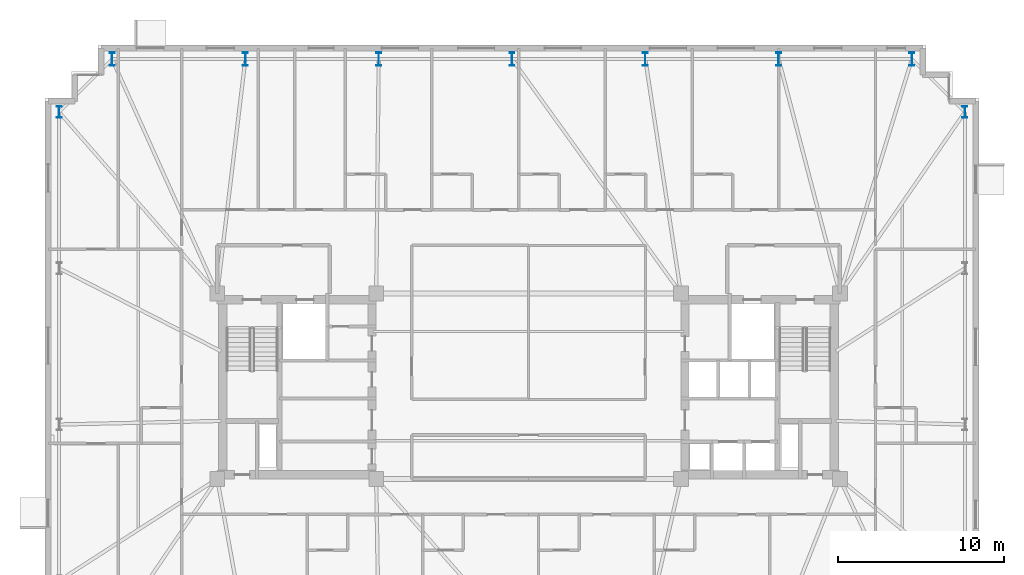
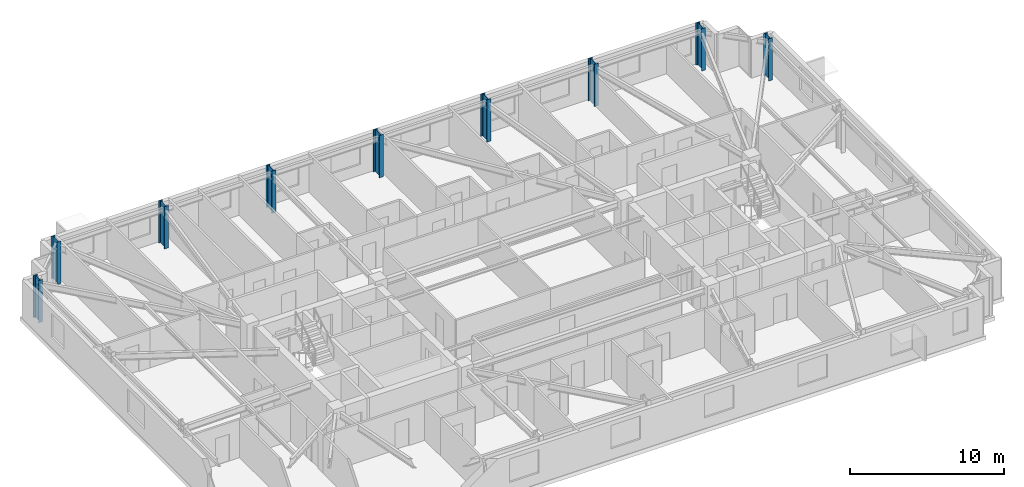
# One storey, part 2 of 17: 9 columns.
"""IFC4 building model written with IfcOpenShell, lengths in metres."""

import ifcopenshell
import ifcopenshell.guid

model = None  # the IFC model being written
_history = None  # IfcOwnerHistory: only IFC2X3 demands one
_inside = {}  # id of a spatial element -> (the spatial element, [elements in it])
_under = {}  # id of a project, library or spatial element -> (it, [spatial elements below it])
_declared = {}  # id of a project -> (the project, [libraries it declares])
_typed = {}  # id of a type object -> (the type object, [elements of that type])
_made_of = {}  # id of a material, layer set ... -> (it, [elements and type objects made of it])


def new_model(schema):
    """Start an empty IFC model of exactly this schema.

    Asked for "IFC4X3", IfcOpenShell would pick the latest addendum, in which some entities
    have other attributes; the version numbers below select the first issue.
    IFC2X3 requires an IfcOwnerHistory on every rooted entity: one is made here for all.
    """
    global model, _history
    if schema == "IFC4X3":
        model = ifcopenshell.file(schema_version=(4, 3, 0, 0))
    else:
        model = ifcopenshell.file(schema=schema)
    _inside.clear()
    _under.clear()
    _declared.clear()
    _typed.clear()
    _made_of.clear()
    _history = None
    if model.schema == "IFC2X3":
        org = make("IfcOrganization", Name="unknown")
        user = make(
            "IfcPersonAndOrganization",
            ThePerson=make("IfcPerson", FamilyName="unknown"),
            TheOrganization=org,
        )
        app = make(
            "IfcApplication",
            ApplicationDeveloper=org,
            Version="unknown",
            ApplicationFullName="unknown",
            ApplicationIdentifier="unknown",
        )
        _history = make(
            "IfcOwnerHistory",
            OwningUser=user,
            OwningApplication=app,
            ChangeAction="ADDED",
            CreationDate=0,
        )
    return model


def make(cls, **values):
    """One entity of the class cls with the attributes given. An attribute that is None is left unset."""
    return model.create_entity(
        cls, **{name: value for name, value in values.items() if value is not None}
    )


def rooted(cls, **values):
    """An entity with a GlobalId (a new one), such as an element, a storey or a relation."""
    return make(cls, GlobalId=ifcopenshell.guid.new(), OwnerHistory=_history, **values)


def si_unit(unit_type, name, prefix=None):
    """IfcSIUnit, for example si_unit("LENGTHUNIT", "METRE", prefix="MILLI")."""
    return make("IfcSIUnit", UnitType=unit_type, Prefix=prefix, Name=name)


def assignment(units):
    """IfcUnitAssignment: the units of a project."""
    return None if units is None else make("IfcUnitAssignment", Units=units)


def point(xyz):
    """IfcCartesianPoint."""
    return None if xyz is None else make("IfcCartesianPoint", Coordinates=xyz)


def direction(xyz):
    """IfcDirection."""
    return None if xyz is None else make("IfcDirection", DirectionRatios=xyz)


def frame(location, z_axis=None, x_axis=None):
    """IfcAxis2Placement3D, a coordinate frame: its origin and axes. An axis left out is left unset."""
    return make(
        "IfcAxis2Placement3D",
        Location=point(location),
        Axis=direction(z_axis),
        RefDirection=direction(x_axis),
    )


def frame_2d(location, x_axis=None):
    """IfcAxis2Placement2D, a coordinate frame in the plane: its origin and x axis."""
    return make(
        "IfcAxis2Placement2D", Location=point(location), RefDirection=direction(x_axis)
    )


def origin():
    """The frame at (0, 0, 0) with its axes left unset."""
    return frame((0.0, 0.0, 0.0))


def origin_2d():
    """The frame at (0, 0) in the plane with its x axis left unset."""
    return frame_2d((0.0, 0.0))


def place(relative_to, where):
    """IfcLocalPlacement: puts the frame where relative to a parent placement (None: the world)."""
    return make(
        "IfcLocalPlacement", PlacementRelTo=relative_to, RelativePlacement=where
    )


def context(
    kind, dimensions, precision=None, world=None, true_north=None, identifier=None
):
    """IfcGeometricRepresentationContext, for example the 3D "Model" context."""
    return make(
        "IfcGeometricRepresentationContext",
        ContextIdentifier=identifier,
        ContextType=kind,
        CoordinateSpaceDimension=dimensions,
        Precision=precision,
        WorldCoordinateSystem=world,
        TrueNorth=true_north,
    )


def subcontext(parent, identifier, kind, view, scale=None):
    """IfcGeometricRepresentationSubContext, for example "Body" below "Model"."""
    return make(
        "IfcGeometricRepresentationSubContext",
        ContextIdentifier=identifier,
        ContextType=kind,
        ParentContext=parent,
        TargetScale=scale,
        TargetView=view,
    )


def project(units=None, contexts=None):
    """IfcProject with its units and contexts."""
    return rooted(
        "IfcProject",
        Name="project",
        RepresentationContexts=contexts,
        UnitsInContext=assignment(units),
    )


def spatial(cls, under=None, at=None, **own):
    """A site, building, storey or space (cls), placed at a placement, below another one or the project."""
    s = rooted(cls, ObjectPlacement=at, **own)
    if under is not None:
        _under.setdefault(under.id(), (under, []))[1].append(s)
    return s


def profile(cls, at=None, kind="AREA", **sizes):
    """A parametric profile (cls). Its sizes go by their IFC names, for example OverallWidth=200.0."""
    return make(cls, ProfileType=kind, Position=at, **sizes)


def i_section(**sizes):
    """IfcIShapeProfileDef."""
    return profile("IfcIShapeProfileDef", **sizes)


def extrude(swept, where, along, depth):
    """IfcExtrudedAreaSolid: the profile swept, set in the frame where, extruded along a direction by depth."""
    return make(
        "IfcExtrudedAreaSolid",
        SweptArea=swept,
        Position=where,
        ExtrudedDirection=direction(along),
        Depth=depth,
    )


def shape(context_of_items, identifier, shape_type, items):
    """IfcShapeRepresentation: the items that make up one representation, for example the "Body"."""
    return make(
        "IfcShapeRepresentation",
        ContextOfItems=context_of_items,
        RepresentationIdentifier=identifier,
        RepresentationType=shape_type,
        Items=items,
    )


def material(Name=None, Category=None):
    """IfcMaterial."""
    return make("IfcMaterial", Name=Name, Category=Category)


def material_profile(
    of_material, cross_section, Name=None, Category=None, Priority=None
):
    """IfcMaterialProfile: a cross section and its material."""
    return make(
        "IfcMaterialProfile",
        Name=Name,
        Material=of_material,
        Profile=cross_section,
        Priority=Priority,
        Category=Category,
    )


def profile_set(profiles, Name=None, composite=None):
    """IfcMaterialProfileSet."""
    return make(
        "IfcMaterialProfileSet",
        Name=Name,
        MaterialProfiles=profiles,
        CompositeProfile=composite,
    )


def made_of(thing, what):
    """Note that an element or type object is made of a material, layer set ...; save() writes the relation."""
    if what is not None:
        _made_of.setdefault(what.id(), (what, []))[1].append(thing)
    return thing


def type_object(cls, material=None, **own):
    """A type object (cls), such as IfcWallType, which elements share."""
    return made_of(rooted(cls, **own), material)


def element(
    cls,
    number,
    at=None,
    inside=None,
    cuts=None,
    type_object=None,
    material=None,
    context=None,
    identifier="Body",
    shape_type=None,
    held_by="IfcProductDefinitionShape",
    body=None,
    shapes=None,
    **own,
):
    """One element of the class cls, such as IfcWall. Its Tag is "e" and its number.

    at: its placement. inside: the storey or other place that contains it. cuts: it is an
    opening in that element (IfcRelVoidsElement). A single representation is given by context,
    identifier, shape_type and body (its items); several are given by shapes. held_by: the class
    of the entity that holds the representations. save() writes the other relations.
    """
    e = rooted(cls, Tag="e%d" % number, ObjectPlacement=at, **own)
    if body is not None:
        shapes = [shape(context, identifier, shape_type, body)]
    if shapes is not None:
        e.Representation = make(held_by, Representations=shapes)
    if inside is not None:
        _inside.setdefault(inside.id(), (inside, []))[1].append(e)
    if cuts is not None:
        rooted(
            "IfcRelVoidsElement", RelatingBuildingElement=cuts, RelatedOpeningElement=e
        )
    if type_object is not None:
        _typed.setdefault(type_object.id(), (type_object, []))[1].append(e)
    return made_of(e, material)


def aggregate(whole, parts):
    """IfcRelAggregates: a whole, such as a stair, and the parts it consists of."""
    return rooted("IfcRelAggregates", RelatingObject=whole, RelatedObjects=parts)


def save(model, path):
    """Write the relations noted so far, then the file.

    IfcRelAggregates (storeys below a building ...), IfcRelContainedInSpatialStructure (elements
    in a storey), IfcRelDefinesByType, IfcRelAssociatesMaterial and IfcRelDeclares: one each for
    every whole, place, type object, material and project.
    """
    for whole, parts in _under.values():
        aggregate(whole, parts)
    for where, things in _inside.values():
        rooted(
            "IfcRelContainedInSpatialStructure",
            RelatedElements=things,
            RelatingStructure=where,
        )
    for kind, things in _typed.values():
        rooted("IfcRelDefinesByType", RelatedObjects=things, RelatingType=kind)
    for what, things in _made_of.values():
        rooted("IfcRelAssociatesMaterial", RelatedObjects=things, RelatingMaterial=what)
    for by, libraries in _declared.values():
        rooted("IfcRelDeclares", RelatingContext=by, RelatedDefinitions=libraries)
    model.write(path)


model = new_model("IFC4")

# Units and contexts
model_context = context("Model", 3, precision=1e-05, world=origin(), true_north=direction((0.0, 1.0)))
body_context = subcontext(model_context, "Body", "Model", "MODEL_VIEW")
ifc_project = project(units=[si_unit("LENGTHUNIT", "METRE"), si_unit("AREAUNIT", "SQUARE_METRE"), si_unit("VOLUMEUNIT", "CUBIC_METRE"), si_unit("PLANEANGLEUNIT", "RADIAN"), si_unit("MASSUNIT", "GRAM", prefix="KILO")], contexts=[model_context])

# Site, building, storey
site_placement = place(None, origin())
site = spatial("IfcSite", under=ifc_project, at=site_placement, CompositionType="ELEMENT")
building_placement = place(site_placement, origin())
building = spatial("IfcBuilding", under=site, at=building_placement, Name="Qobustan Lattice House", CompositionType="ELEMENT")
storey_placement = place(building_placement, frame((0.0, 0.0, 144.39990234375)))
storey = spatial("IfcBuildingStorey", under=building, at=storey_placement, Name="L40", CompositionType="ELEMENT", Elevation=144.39990234375)

# Columns
ifc_material_1 = material(Name="Steel S355", Category="steel")
ifc_material_profile_1 = material_profile(ifc_material_1, i_section(OverallWidth=0.300048828125, OverallDepth=0.699951171875, WebThickness=0.01708984375, FlangeThickness=0.031982421875, FilletRadius=0.027099609375, at=origin_2d()), Name="HEB700")
ifc_profile_set_1 = profile_set([ifc_material_profile_1], Name="Steel S355")
column_type_1 = type_object("IfcColumnType", Name="COL-ST-HEB700", PredefinedType="COLUMN", material=ifc_profile_set_1)
for number, where, z_axis, x_axis, name in (
    (1, (26.35009765625, 16.550048828125, 0.0), (0.0, 0.0, 1.0), (1.0, 0.0, 0.0), "L40 B3 perimeter column E4"),
    (2, (-28.35009765625, 16.550048828125, 0.0), (0.0, 0.0, 1.0), (1.0, 0.0, 0.0), "L40 B3 perimeter column W1"),
):
    element("IfcColumn", number, at=place(storey_placement, frame(where, z_axis=z_axis, x_axis=x_axis)), inside=storey, type_object=column_type_1, Name=name, PredefinedType="COLUMN", context=body_context, shape_type="SweptSolid", body=[
        extrude(i_section(OverallWidth=0.300048828125, OverallDepth=0.699951171875, WebThickness=0.01708984375, FlangeThickness=0.031982421875, FilletRadius=0.027099609375, at=origin_2d()), origin(), (0.0, 0.0, 1.0), 3.35009765625),
    ])
ifc_material_2 = material(Name="Steel S355", Category="steel")
ifc_material_profile_2 = material_profile(ifc_material_2, i_section(OverallWidth=0.300048828125, OverallDepth=0.800048828125, WebThickness=0.017578125, FlangeThickness=0.032958984375, FilletRadius=0.030029296875, at=origin_2d()), Name="HEB800")
ifc_profile_set_2 = profile_set([ifc_material_profile_2], Name="Steel S355")
column_type_2 = type_object("IfcColumnType", Name="COL-ST-HEB800", PredefinedType="COLUMN", material=ifc_profile_set_2)
for number, where, z_axis, x_axis, name in (
    (3, (23.14990234375, 19.75, 0.0), (0.0, 0.0, 1.0), (1.0, 0.0, 0.0), "L40 B3 perimeter column N1"),
    (4, (15.10009765625, 19.75, 0.0), (0.0, 0.0, 1.0), (1.0, 0.0, 0.0), "L40 B3 perimeter column N2"),
    (5, (7.050048828125, 19.75, 0.0), (0.0, 0.0, 1.0), (1.0, 0.0, 0.0), "L40 B3 perimeter column N3"),
    (6, (-1.0, 19.75, 0.0), (0.0, 0.0, 1.0), (1.0, 0.0, 0.0), "L40 B3 perimeter column N4"),
    (7, (-9.050048828125, 19.75, 0.0), (0.0, 0.0, 1.0), (1.0, 0.0, 0.0), "L40 B3 perimeter column N5"),
    (8, (-17.10009765625, 19.75, 0.0), (0.0, 0.0, 1.0), (1.0, 0.0, 0.0), "L40 B3 perimeter column N6"),
    (9, (-25.14990234375, 19.75, 0.0), (0.0, 0.0, 1.0), (1.0, 0.0, 0.0), "L40 B3 perimeter column N7"),
):
    element("IfcColumn", number, at=place(storey_placement, frame(where, z_axis=z_axis, x_axis=x_axis)), inside=storey, type_object=column_type_2, Name=name, PredefinedType="COLUMN", context=body_context, shape_type="SweptSolid", body=[
        extrude(i_section(OverallWidth=0.300048828125, OverallDepth=0.800048828125, WebThickness=0.017578125, FlangeThickness=0.032958984375, FilletRadius=0.030029296875, at=origin_2d()), origin(), (0.0, 0.0, 1.0), 3.35009765625),
    ])

save(model, "model.ifc")
